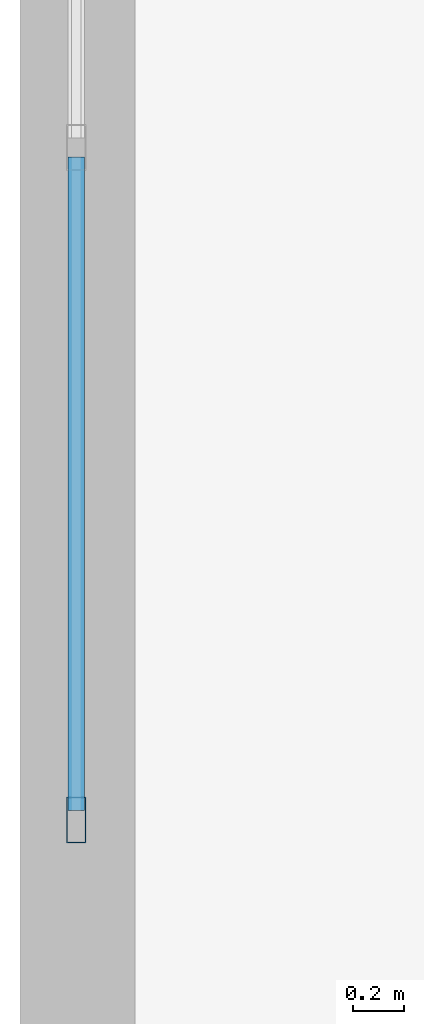
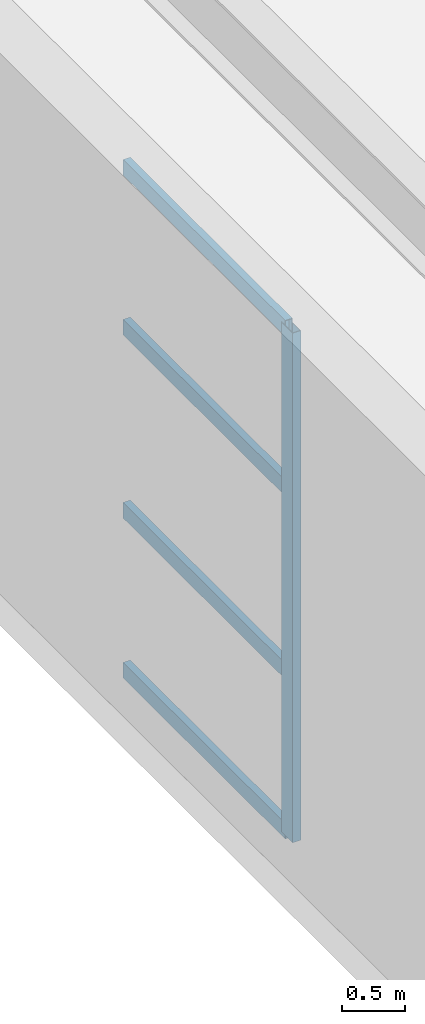
# One storey, part 4 of 34: 5 members, 1 element without a shape of its own.
"""IFC4 building model written with IfcOpenShell, lengths in metres."""

from ifc_helpers import new_model, si_unit, direction, frame, origin, origin_2d, place, context, subcontext, project, spatial, hollow_rectangle, extrude, material, layer, layer_set, material_profile, profile_set, type_object, element, aggregate, save


model = new_model("IFC4")

# Units and contexts
model_context = context("Model", 3, precision=1e-05, world=origin(), true_north=direction((0.0, 1.0)))
body_context = subcontext(model_context, "Body", "Model", "MODEL_VIEW")
ifc_project = project(units=[si_unit("LENGTHUNIT", "METRE"), si_unit("AREAUNIT", "SQUARE_METRE"), si_unit("VOLUMEUNIT", "CUBIC_METRE"), si_unit("PLANEANGLEUNIT", "RADIAN"), si_unit("MASSUNIT", "GRAM", prefix="KILO")], contexts=[model_context])

# Site, building, storey
site_placement = place(None, origin())
site = spatial("IfcSite", under=ifc_project, at=site_placement, CompositionType="ELEMENT")
building_placement = place(site_placement, origin())
building = spatial("IfcBuilding", under=site, at=building_placement, Name="Qiaolan Cultural Towers", CompositionType="ELEMENT")
storey_placement = place(building_placement, frame((0.0, 0.0, 16.5)))
storey = spatial("IfcBuildingStorey", under=building, at=storey_placement, Name="L03", CompositionType="ELEMENT", Elevation=16.5)

# Curtain wall, members
ifc_material_1 = material(Name="Unitized Anodized Aluminium Curtain Wall System", Category="aluminium")
ifc_layer = layer(ifc_material_1, 0.199951171875)
ifc_layer_set = layer_set([ifc_layer], Name="Unitized Anodized Aluminium Curtain Wall System")
curtain_wall_type = type_object("IfcCurtainWallType", Name="CWS-04", PredefinedType="NOTDEFINED", material=ifc_layer_set)
curtain_wall_placement = place(storey_placement, origin())
curtain_wall = element("IfcCurtainWall", 1, at=curtain_wall_placement, inside=storey, type_object=curtain_wall_type, Name="L03 West Exhibition Foyer Curtain Wall", PredefinedType="NOTDEFINED")
ifc_material_2 = material(Name="Extruded Aluminium 6063-T6", Category="aluminium")
ifc_material_profile_1 = material_profile(ifc_material_2, hollow_rectangle(XDim=0.074951171875, YDim=0.179931640625, WallThickness=0.00390625, at=origin_2d()), Name="CWM-180x75x4")
ifc_profile_set_1 = profile_set([ifc_material_profile_1], Name="Extruded Aluminium 6063-T6")
member_type_1 = type_object("IfcMemberType", Name="CWS-04-MUL", PredefinedType="MULLION", material=ifc_profile_set_1)
member_1_placement = place(storey_placement, frame((0.219970703125, 30.03759765625, 0.14990234375), z_axis=(0.0, 0.0, 1.0), x_axis=(-1.0, 0.0, 0.0)))
member_1 = element("IfcMember", 2, at=member_1_placement, type_object=member_type_1, Name="CW-4 mullion 1", PredefinedType="MULLION", context=body_context, shape_type="SweptSolid", body=[
    extrude(hollow_rectangle(XDim=0.074951171875, YDim=0.179931640625, WallThickness=0.00390625, at=origin_2d()), origin(), (0.0, 0.0, 1.0), 4.900146484375),
])
ifc_material_3 = material(Name="Extruded Aluminium 6063-T6", Category="aluminium")
ifc_material_profile_2 = material_profile(ifc_material_3, hollow_rectangle(XDim=0.06494140625, YDim=0.14990234375, WallThickness=0.00390625, at=origin_2d()), Name="CWT-150x65x4")
ifc_profile_set_2 = profile_set([ifc_material_profile_2], Name="Extruded Aluminium 6063-T6")
member_type_2 = type_object("IfcMemberType", Name="CWS-04-TRN", PredefinedType="USERDEFINED", material=ifc_profile_set_2)
member_2_placement = place(storey_placement, frame((0.219970703125, 30.074951171875, 0.1826171875), z_axis=(0.0, 1.0, 0.0), x_axis=(-1.0, 0.0, 0.0)))
member_2 = element("IfcMember", 3, at=member_2_placement, type_object=member_type_2, Name="CW-4 transom 1.1", ObjectType="TRANSOM", PredefinedType="USERDEFINED", context=body_context, shape_type="SweptSolid", body=[
    extrude(hollow_rectangle(XDim=0.06494140625, YDim=0.14990234375, WallThickness=0.00390625, at=origin_2d()), origin(), (0.0, 0.0, 1.0), 2.55419921875),
])
member_3_placement = place(storey_placement, frame((0.219970703125, 30.074951171875, 1.719970703125), z_axis=(0.0, 1.0, 0.0), x_axis=(-1.0, 0.0, 0.0)))
member_3 = element("IfcMember", 4, at=member_3_placement, type_object=member_type_2, Name="CW-4 transom 1.2", ObjectType="TRANSOM", PredefinedType="USERDEFINED", context=body_context, shape_type="SweptSolid", body=[
    extrude(hollow_rectangle(XDim=0.06494140625, YDim=0.14990234375, WallThickness=0.00390625, at=origin_2d()), origin(), (0.0, 0.0, 1.0), 2.55419921875),
])
member_4_placement = place(storey_placement, frame((0.219970703125, 30.074951171875, 3.47998046875), z_axis=(0.0, 1.0, 0.0), x_axis=(-1.0, 0.0, 0.0)))
member_4 = element("IfcMember", 5, at=member_4_placement, type_object=member_type_2, Name="CW-4 transom 1.3", ObjectType="TRANSOM", PredefinedType="USERDEFINED", context=body_context, shape_type="SweptSolid", body=[
    extrude(hollow_rectangle(XDim=0.06494140625, YDim=0.14990234375, WallThickness=0.00390625, at=origin_2d()), origin(), (0.0, 0.0, 1.0), 2.55419921875),
])
member_5_placement = place(storey_placement, frame((0.219970703125, 30.074951171875, 5.017578125), z_axis=(0.0, 1.0, 0.0), x_axis=(-1.0, 0.0, 0.0)))
member_5 = element("IfcMember", 6, at=member_5_placement, type_object=member_type_2, Name="CW-4 transom 1.4", ObjectType="TRANSOM", PredefinedType="USERDEFINED", context=body_context, shape_type="SweptSolid", body=[
    extrude(hollow_rectangle(XDim=0.06494140625, YDim=0.14990234375, WallThickness=0.00390625, at=origin_2d()), origin(), (0.0, 0.0, 1.0), 2.55419921875),
])
aggregate(curtain_wall, [member_1, member_2, member_3, member_4, member_5])

save(model, "model.ifc")
